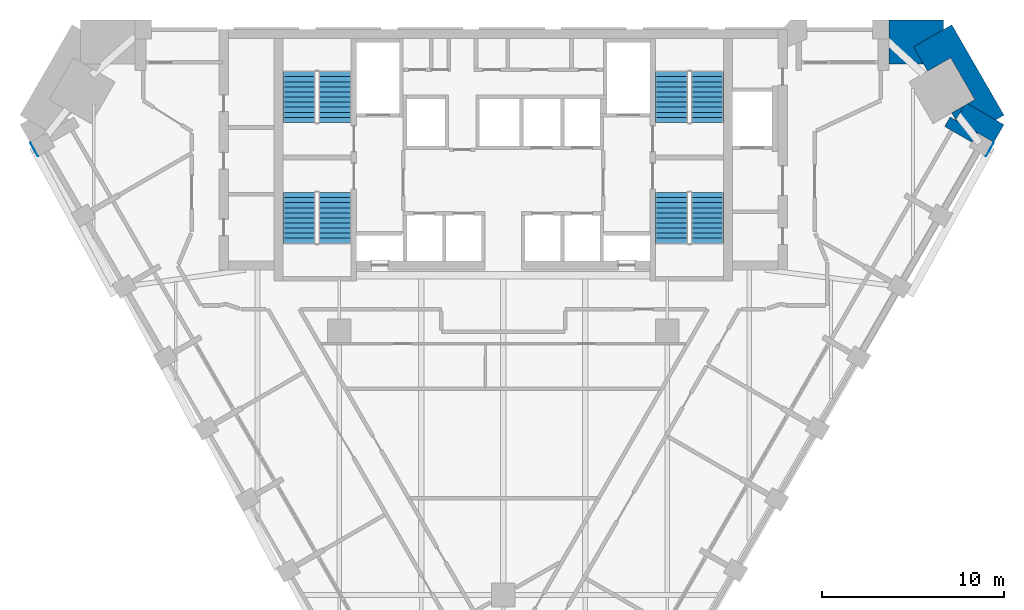
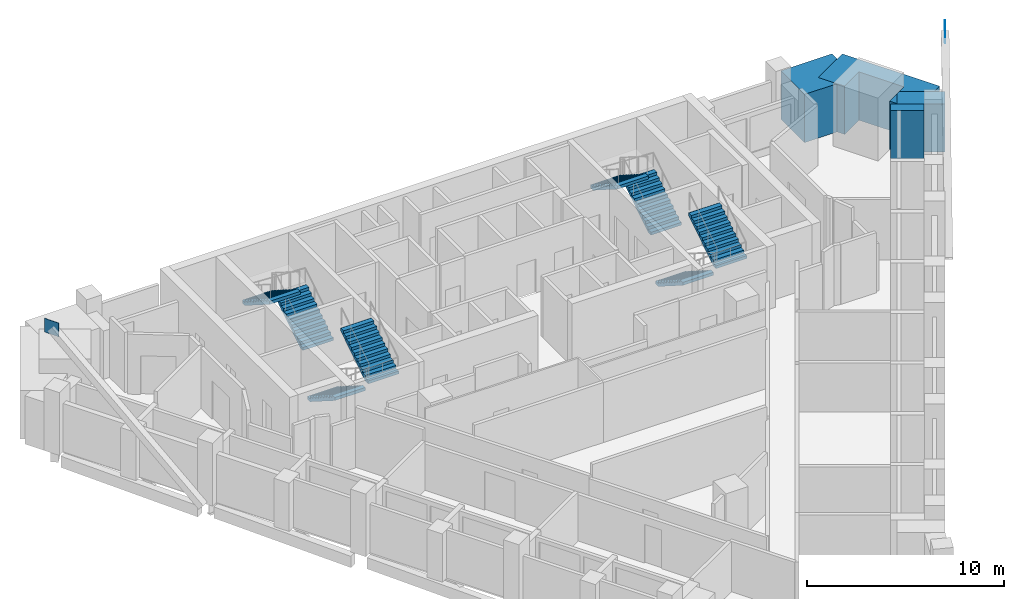
# One storey, part 8 of 9: 8 stair flights, 5 walls, 2 discrete accessories, 4 elements without a shape of their own.
"""IFC4 building model written with IfcOpenShell, lengths in metres."""

from ifc_helpers import new_model, si_unit, direction, frame, frame_2d, origin, origin_2d, place, context, subcontext, project, spatial, polyline, rectangle, outline, extrude, faceted_brep, source, transform, mapped, material, layer, layer_set, type_object, element, aggregate, save


model = new_model("IFC4")

# Units and contexts
model_context = context("Model", 3, precision=1e-05, world=origin(), true_north=direction((0.0, 1.0)))
body_context = subcontext(model_context, "Body", "Model", "MODEL_VIEW")
ifc_project = project(units=[si_unit("LENGTHUNIT", "METRE"), si_unit("AREAUNIT", "SQUARE_METRE"), si_unit("VOLUMEUNIT", "CUBIC_METRE"), si_unit("PLANEANGLEUNIT", "RADIAN"), si_unit("MASSUNIT", "GRAM", prefix="KILO")], contexts=[model_context])

# Site, building, storey
site_placement = place(None, origin())
site = spatial("IfcSite", under=ifc_project, at=site_placement, CompositionType="ELEMENT")
building_placement = place(site_placement, origin())
building = spatial("IfcBuilding", under=site, at=building_placement, Name="Calabash Gate Tower", CompositionType="ELEMENT")
storey_placement = place(building_placement, frame((0.0, 0.0, 168.0)))
storey = spatial("IfcBuildingStorey", under=building, at=storey_placement, Name="L39", CompositionType="ELEMENT", Elevation=168.0)

# Walls
ifc_material_1 = material(Name="Terracotta brick masonry, exposed face", Category="masonry")
ifc_layer_1 = layer(ifc_material_1, 2.425048828125)
ifc_layer_set_1 = layer_set([ifc_layer_1], Name="Brick corner mass wall 2425")
wall_type_1 = type_object("IfcWallType", Name="Brick corner mass wall 2425", PredefinedType="SOLIDWALL", material=ifc_layer_set_1)
wall_1_placement = place(storey_placement, origin())
element("IfcWall", 1, at=wall_1_placement, inside=storey, type_object=wall_type_1, Name="Brick corner pier S11 3a", PredefinedType="SOLIDWALL", context=body_context, shape_type="SweptSolid", body=[
    extrude(outline(polyline([(24.842529296875, 14.07275390625), (26.942626953125, 12.8603515625), (27.5009765625, 13.827392578125), (25.5068359375, 14.978759765625), (25.294921875, 14.8564453125), (24.842529296875, 14.07275390625)])), origin(), (0.0, 0.0, 1.0), 3.0),
])
wall_2_placement = place(storey_placement, origin())
element("IfcWall", 2, at=wall_2_placement, inside=storey, type_object=wall_type_1, Name="Brick corner pier S11 3ba", PredefinedType="SOLIDWALL", context=body_context, shape_type="SweptSolid", body=[
    extrude(outline(polyline([(24.852294921875, 14.08984375), (25.294921875, 14.8564453125), (24.631103515625, 14.47314453125), (24.852294921875, 14.08984375)])), origin(), (0.0, 0.0, 1.0), 3.0),
])
wall_3_placement = place(storey_placement, origin())
element("IfcWall", 3, at=wall_3_placement, inside=storey, type_object=wall_type_1, Name="Brick corner pier S11 3bb", PredefinedType="SOLIDWALL", context=body_context, shape_type="SweptSolid", body=[
    extrude(outline(polyline([(24.572021484375, 17.4990234375), (25.89697265625, 15.2041015625), (25.343994140625, 14.884765625), (25.5068359375, 14.978759765625), (27.04638671875, 14.08984375), (27.5009765625, 14.352294921875), (24.6357421875, 19.31494140625), (22.53564453125, 18.1025390625), (23.30615234375, 16.76806640625), (24.572021484375, 17.4990234375)])), origin(), (0.0, 0.0, 1.0), 3.0),
])
wall_4_placement = place(storey_placement, origin())
element("IfcWall", 4, at=wall_4_placement, inside=storey, type_object=wall_type_1, Name="Brick corner pier S11 3c", PredefinedType="SOLIDWALL", context=body_context, shape_type="SweptSolid", body=[
    extrude(outline(polyline([(21.1796875, 18.528076171875), (21.1796875, 17.152587890625), (23.084228515625, 17.152587890625), (22.53564453125, 18.1025390625), (24.18115234375, 19.052490234375), (24.18115234375, 19.57763671875), (21.179931640625, 19.57763671875), (21.179931640625, 18.528076171875), (21.1796875, 18.528076171875)])), origin(), (0.0, 0.0, 1.0), 3.0),
])
ifc_material_2 = material(Name="Terracotta brick masonry, exposed face", Category="masonry")
ifc_layer_2 = layer(ifc_material_2, 0.300048828125)
ifc_layer_set_2 = layer_set([ifc_layer_2], Name="Brick loggia cheek wall 300")
wall_type_2 = type_object("IfcWallType", Name="Brick loggia cheek wall 300", PredefinedType="SOLIDWALL", material=ifc_layer_set_2)
wall_5_placement = place(storey_placement, frame((25.88330078125, 13.12548828125, 0.0), z_axis=(0.0, 0.0, 1.0), x_axis=(-0.866013532718, 0.500020560727, 0.0)))
element("IfcWall", 5, at=wall_5_placement, inside=storey, type_object=wall_type_2, Name="Loggia cheek S11 SE4.8", PredefinedType="SOLIDWALL", context=body_context, shape_type="SweptSolid", body=[
    extrude(rectangle(XDim=1.72509765625, YDim=0.60009765625, at=frame_2d((0.862548828125, 0.0))), origin(), (0.0, 0.0, 1.0), 3.0),
])

# Stair, stair flights
ifc_material_3 = material(Name="Concrete C40/50", Category="concrete")
stair_type = type_object("IfcStairType", Name="Exit stair 22 risers of 177.3 mm", PredefinedType="HALF_TURN_STAIR", material=ifc_material_3)
stair_1_placement = place(storey_placement, origin())
stair_1 = element("IfcStair", 6, at=stair_1_placement, inside=storey, type_object=stair_type, Name="L39 Exit stair ST1", PredefinedType="HALF_TURN_STAIR")
ifc_material_4 = material(Name="Concrete C40/50", Category="concrete")
stair_flight_type = type_object("IfcStairFlightType", Name="Exit stair flight SFL", PredefinedType="STRAIGHT", material=ifc_material_4)
shared_shape = source(origin(), body_context, "Body", "Brep", [
    faceted_brep([(-0.0009765625, -0.89990234375, 0.0), (0.279541015625, -0.89990234375, 0.0), (2.791015625, -0.89990234375, 1.59521484375), (-0.0009765625, 0.89990234375, 0.0), (2.791015625, 0.89990234375, 1.59521484375), (0.279541015625, 0.89990234375, 0.0), (2.791015625, -0.89990234375, 1.78466796875), (2.7900390625, -0.89990234375, 1.78466796875), (2.7900390625, 0.89990234375, 1.78466796875), (2.791015625, 0.89990234375, 1.78466796875), (2.7900390625, -0.89990234375, 1.772705078125), (2.7900390625, 0.89990234375, 1.772705078125), (2.510986328125, -0.89990234375, 1.772705078125), (2.510986328125, 0.89990234375, 1.772705078125), (2.510986328125, -0.89990234375, 1.595458984375), (2.510986328125, 0.89990234375, 1.595458984375), (2.23193359375, -0.89990234375, 1.595458984375), (2.23193359375, 0.89990234375, 1.595458984375), (2.23193359375, -0.89990234375, 1.418212890625), (2.23193359375, 0.89990234375, 1.418212890625), (1.952880859375, -0.89990234375, 1.418212890625), (1.952880859375, -0.89990234375, 1.240966796875), (1.952880859375, 0.89990234375, 1.240966796875), (1.952880859375, 0.89990234375, 1.418212890625), (1.674072265625, -0.89990234375, 1.240966796875), (1.674072265625, -0.89990234375, 1.063720703125), (1.674072265625, 0.89990234375, 1.063720703125), (1.674072265625, 0.89990234375, 1.240966796875), (1.39501953125, -0.89990234375, 1.063720703125), (1.39501953125, -0.89990234375, 0.886474609375), (1.39501953125, 0.89990234375, 0.886474609375), (1.39501953125, 0.89990234375, 1.063720703125), (1.115966796875, -0.89990234375, 0.886474609375), (1.115966796875, -0.89990234375, 0.708984375), (1.115966796875, 0.89990234375, 0.708984375), (1.115966796875, 0.89990234375, 0.886474609375), (0.8369140625, -0.89990234375, 0.708984375), (0.8369140625, -0.89990234375, 0.53173828125), (0.8369140625, 0.89990234375, 0.53173828125), (0.8369140625, 0.89990234375, 0.708984375), (0.55810546875, -0.89990234375, 0.53173828125), (0.55810546875, -0.89990234375, 0.3544921875), (0.55810546875, 0.89990234375, 0.3544921875), (0.55810546875, 0.89990234375, 0.53173828125), (0.279052734375, -0.89990234375, 0.3544921875), (0.279052734375, -0.89990234375, 0.17724609375), (0.279052734375, 0.89990234375, 0.17724609375), (0.279052734375, 0.89990234375, 0.3544921875), (-0.0009765625, -0.89990234375, 0.17724609375), (-0.0009765625, 0.89990234375, 0.17724609375), (0.279541015625, -0.360107421875, 0.0), (2.791015625, -0.360107421875, 1.59521484375), (0.279541015625, 0.0, 0.0), (2.791015625, 0.0, 1.59521484375), (0.279541015625, 0.360107421875, 0.0), (2.791015625, 0.360107421875, 1.59521484375), (2.791015625, -0.360107421875, 1.78466796875), (2.791015625, 0.0, 1.78466796875), (2.791015625, 0.360107421875, 1.78466796875), (2.7900390625, -0.360107421875, 1.78466796875), (2.7900390625, 0.0, 1.78466796875), (2.7900390625, 0.360107421875, 1.78466796875), (2.7900390625, -0.360107421875, 1.772705078125), (2.7900390625, 0.0, 1.772705078125), (2.7900390625, 0.360107421875, 1.772705078125), (2.510986328125, -0.360107421875, 1.772705078125), (2.510986328125, 0.0, 1.772705078125), (2.510986328125, 0.360107421875, 1.772705078125), (2.510986328125, -0.360107421875, 1.595458984375), (2.510986328125, 0.0, 1.595458984375), (2.510986328125, 0.360107421875, 1.595458984375), (2.23193359375, -0.360107421875, 1.595458984375), (2.23193359375, 0.0, 1.595458984375), (2.23193359375, 0.360107421875, 1.595458984375), (2.23193359375, -0.360107421875, 1.418212890625), (2.23193359375, 0.0, 1.418212890625), (2.23193359375, 0.360107421875, 1.418212890625), (1.952880859375, -0.360107421875, 1.418212890625), (1.952880859375, 0.0, 1.418212890625), (1.952880859375, 0.360107421875, 1.418212890625), (1.952880859375, -0.360107421875, 1.240966796875), (1.952880859375, 0.0, 1.240966796875), (1.952880859375, 0.360107421875, 1.240966796875), (1.674072265625, -0.360107421875, 1.240966796875), (1.674072265625, 0.0, 1.240966796875), (1.674072265625, 0.360107421875, 1.240966796875), (1.674072265625, -0.360107421875, 1.063720703125), (1.674072265625, 0.0, 1.063720703125), (1.674072265625, 0.360107421875, 1.063720703125), (1.39501953125, -0.360107421875, 1.063720703125), (1.39501953125, 0.0, 1.063720703125), (1.39501953125, 0.360107421875, 1.063720703125), (1.39501953125, -0.360107421875, 0.886474609375), (1.39501953125, 0.0, 0.886474609375), (1.39501953125, 0.360107421875, 0.886474609375), (1.115966796875, -0.360107421875, 0.886474609375), (1.115966796875, 0.0, 0.886474609375), (1.115966796875, 0.360107421875, 0.886474609375), (1.115966796875, -0.360107421875, 0.708984375), (1.115966796875, 0.0, 0.708984375), (1.115966796875, 0.360107421875, 0.708984375), (0.8369140625, -0.360107421875, 0.708984375), (0.8369140625, 0.0, 0.708984375), (0.8369140625, 0.360107421875, 0.708984375), (0.8369140625, -0.360107421875, 0.53173828125), (0.8369140625, 0.0, 0.53173828125), (0.8369140625, 0.360107421875, 0.53173828125), (0.55810546875, -0.360107421875, 0.53173828125), (0.55810546875, 0.0, 0.53173828125), (0.55810546875, 0.360107421875, 0.53173828125), (0.55810546875, -0.360107421875, 0.3544921875), (0.55810546875, 0.0, 0.3544921875), (0.55810546875, 0.360107421875, 0.3544921875), (0.279052734375, -0.360107421875, 0.3544921875), (0.279052734375, 0.0, 0.3544921875), (0.279052734375, 0.360107421875, 0.3544921875), (0.279052734375, -0.360107421875, 0.17724609375), (0.279052734375, 0.0, 0.17724609375), (0.279052734375, 0.360107421875, 0.17724609375), (-0.0009765625, -0.360107421875, 0.17724609375), (-0.0009765625, 0.0, 0.17724609375), (-0.0009765625, 0.360107421875, 0.17724609375), (-0.0009765625, -0.360107421875, 0.0), (-0.0009765625, 0.0, 0.0), (-0.0009765625, 0.360107421875, 0.0)], [[[0, 1, 2]], [[3, 4, 5]], [[2, 6, 7]], [[4, 8, 9]], [[2, 7, 10]], [[4, 11, 8]], [[2, 10, 12]], [[4, 13, 11]], [[2, 12, 14]], [[4, 15, 13]], [[2, 14, 16]], [[4, 17, 15]], [[2, 16, 18]], [[4, 19, 17]], [[18, 20, 21]], [[19, 22, 23]], [[2, 18, 21]], [[4, 22, 19]], [[21, 24, 25]], [[22, 26, 27]], [[2, 21, 25]], [[4, 26, 22]], [[25, 28, 29]], [[26, 30, 31]], [[2, 25, 29]], [[4, 30, 26]], [[29, 32, 33]], [[30, 34, 35]], [[2, 29, 33]], [[4, 34, 30]], [[33, 36, 37]], [[34, 38, 39]], [[2, 33, 37]], [[4, 38, 34]], [[37, 40, 41]], [[38, 42, 43]], [[2, 37, 41]], [[4, 42, 38]], [[41, 44, 45]], [[42, 46, 47]], [[2, 41, 45]], [[4, 46, 42]], [[0, 2, 45]], [[3, 46, 4]], [[45, 48, 0]], [[46, 3, 49]], [[1, 50, 2]], [[50, 51, 2]], [[50, 52, 51]], [[52, 53, 51]], [[52, 54, 55]], [[52, 55, 53]], [[54, 5, 4]], [[54, 4, 55]], [[2, 51, 6]], [[51, 56, 6]], [[51, 53, 56]], [[53, 57, 56]], [[53, 55, 58]], [[53, 58, 57]], [[55, 4, 9]], [[55, 9, 58]], [[6, 56, 7]], [[56, 59, 7]], [[56, 57, 59]], [[57, 60, 59]], [[57, 58, 61]], [[57, 61, 60]], [[58, 9, 8]], [[58, 8, 61]], [[7, 59, 10]], [[59, 62, 10]], [[59, 60, 62]], [[60, 63, 62]], [[60, 61, 64]], [[60, 64, 63]], [[61, 8, 11]], [[61, 11, 64]], [[10, 62, 12]], [[62, 65, 12]], [[62, 63, 65]], [[63, 66, 65]], [[63, 64, 67]], [[63, 67, 66]], [[64, 11, 13]], [[64, 13, 67]], [[12, 65, 14]], [[65, 68, 14]], [[65, 66, 68]], [[66, 69, 68]], [[66, 67, 70]], [[66, 70, 69]], [[67, 13, 15]], [[67, 15, 70]], [[14, 68, 16]], [[68, 71, 16]], [[68, 69, 71]], [[69, 72, 71]], [[69, 70, 73]], [[69, 73, 72]], [[70, 15, 17]], [[70, 17, 73]], [[16, 71, 18]], [[71, 74, 18]], [[71, 72, 74]], [[72, 75, 74]], [[72, 73, 76]], [[72, 76, 75]], [[73, 17, 19]], [[73, 19, 76]], [[18, 74, 20]], [[74, 77, 20]], [[74, 75, 77]], [[75, 78, 77]], [[75, 76, 79]], [[75, 79, 78]], [[76, 19, 23]], [[76, 23, 79]], [[20, 77, 21]], [[77, 80, 21]], [[77, 78, 80]], [[78, 81, 80]], [[78, 79, 82]], [[78, 82, 81]], [[79, 23, 22]], [[79, 22, 82]], [[21, 80, 24]], [[80, 83, 24]], [[80, 81, 83]], [[81, 84, 83]], [[81, 82, 85]], [[81, 85, 84]], [[82, 22, 27]], [[82, 27, 85]], [[24, 83, 25]], [[83, 86, 25]], [[83, 84, 86]], [[84, 87, 86]], [[84, 85, 88]], [[84, 88, 87]], [[85, 27, 26]], [[85, 26, 88]], [[25, 86, 28]], [[86, 89, 28]], [[86, 87, 89]], [[87, 90, 89]], [[87, 88, 91]], [[87, 91, 90]], [[88, 26, 31]], [[88, 31, 91]], [[28, 89, 29]], [[89, 92, 29]], [[89, 90, 92]], [[90, 93, 92]], [[90, 91, 94]], [[90, 94, 93]], [[91, 31, 30]], [[91, 30, 94]], [[29, 92, 32]], [[92, 95, 32]], [[92, 93, 95]], [[93, 96, 95]], [[93, 94, 97]], [[93, 97, 96]], [[94, 30, 35]], [[94, 35, 97]], [[32, 95, 33]], [[95, 98, 33]], [[95, 96, 98]], [[96, 99, 98]], [[96, 97, 100]], [[96, 100, 99]], [[97, 35, 34]], [[97, 34, 100]], [[33, 98, 36]], [[98, 101, 36]], [[98, 99, 101]], [[99, 102, 101]], [[99, 100, 103]], [[99, 103, 102]], [[100, 34, 39]], [[100, 39, 103]], [[36, 101, 37]], [[101, 104, 37]], [[101, 102, 104]], [[102, 105, 104]], [[102, 103, 106]], [[102, 106, 105]], [[103, 39, 38]], [[103, 38, 106]], [[37, 104, 40]], [[104, 107, 40]], [[104, 105, 107]], [[105, 108, 107]], [[105, 106, 109]], [[105, 109, 108]], [[106, 38, 43]], [[106, 43, 109]], [[40, 107, 41]], [[107, 110, 41]], [[107, 108, 110]], [[108, 111, 110]], [[108, 109, 112]], [[108, 112, 111]], [[109, 43, 42]], [[109, 42, 112]], [[41, 110, 44]], [[110, 113, 44]], [[110, 111, 113]], [[111, 114, 113]], [[111, 112, 115]], [[111, 115, 114]], [[112, 42, 47]], [[112, 47, 115]], [[44, 113, 45]], [[113, 116, 45]], [[113, 114, 116]], [[114, 117, 116]], [[114, 115, 118]], [[114, 118, 117]], [[115, 47, 46]], [[115, 46, 118]], [[45, 116, 48]], [[116, 119, 48]], [[116, 117, 119]], [[117, 120, 119]], [[117, 118, 121]], [[117, 121, 120]], [[118, 46, 49]], [[118, 49, 121]], [[48, 119, 0]], [[119, 122, 0]], [[119, 120, 122]], [[120, 123, 122]], [[120, 121, 124]], [[120, 124, 123]], [[121, 49, 3]], [[121, 3, 124]], [[0, 122, 1]], [[122, 50, 1]], [[122, 123, 50]], [[123, 52, 50]], [[123, 124, 54]], [[123, 54, 52]], [[124, 3, 5]], [[124, 5, 54]]]),
])
stair_flight_1_placement = place(storey_placement, frame((-9.25, 13.95263671875, 0.0), z_axis=(0.0, 0.0, 1.0), x_axis=(0.0, 1.0, 0.0)))
stair_flight_1 = element("IfcStairFlight", 7, at=stair_flight_1_placement, type_object=stair_flight_type, Name="ST1 flight 1", NumberOfRisers=11, NumberOfTreads=10, PredefinedType="STRAIGHT", RiserHeight=0.177272727, TreadLength=0.279, context=body_context, shape_type="MappedRepresentation", body=[
    mapped(shared_shape, transform((0.0, 0.0, 0.0), scale=1.0)),
])
stair_flight_2_placement = place(storey_placement, frame((-11.199951171875, 16.74267578125, 1.949951171875), z_axis=(0.0, 0.0, 1.0), x_axis=(0.0, -1.0, 0.0)))
stair_flight_2 = element("IfcStairFlight", 8, at=stair_flight_2_placement, type_object=stair_flight_type, Name="ST1 flight 2", NumberOfRisers=11, NumberOfTreads=10, PredefinedType="STRAIGHT", RiserHeight=0.177272727, TreadLength=0.279, context=body_context, shape_type="MappedRepresentation", body=[
    mapped(shared_shape, transform((0.0, 0.0, 0.0), scale=1.0)),
])
aggregate(stair_1, [stair_flight_1, stair_flight_2])

stair_2_placement = place(storey_placement, origin())
stair_2 = element("IfcStair", 9, at=stair_2_placement, inside=storey, type_object=stair_type, Name="L39 Exit stair ST2", PredefinedType="HALF_TURN_STAIR")
stair_flight_3_placement = place(storey_placement, frame((-11.199951171875, 10.1025390625, 0.0), z_axis=(0.0, 0.0, 1.0), x_axis=(0.0, -1.0, 0.0)))
stair_flight_3 = element("IfcStairFlight", 10, at=stair_flight_3_placement, type_object=stair_flight_type, Name="ST2 flight 1", NumberOfRisers=11, NumberOfTreads=10, PredefinedType="STRAIGHT", RiserHeight=0.177272727, TreadLength=0.279, context=body_context, shape_type="MappedRepresentation", body=[
    mapped(shared_shape, transform((0.0, 0.0, 0.0), scale=1.0)),
])
stair_flight_4_placement = place(storey_placement, frame((-9.25, 7.3125, 1.949951171875), z_axis=(0.0, 0.0, 1.0), x_axis=(0.0, 1.0, 0.0)))
stair_flight_4 = element("IfcStairFlight", 11, at=stair_flight_4_placement, type_object=stair_flight_type, Name="ST2 flight 2", NumberOfRisers=11, NumberOfTreads=10, PredefinedType="STRAIGHT", RiserHeight=0.177272727, TreadLength=0.279, context=body_context, shape_type="MappedRepresentation", body=[
    mapped(shared_shape, transform((0.0, 0.0, 0.0), scale=1.0)),
])
aggregate(stair_2, [stair_flight_3, stair_flight_4])

stair_3_placement = place(storey_placement, origin())
stair_3 = element("IfcStair", 12, at=stair_3_placement, inside=storey, type_object=stair_type, Name="L39 Exit stair ST3", PredefinedType="HALF_TURN_STAIR")
stair_flight_5_placement = place(storey_placement, frame((11.199951171875, 13.95263671875, 0.0), z_axis=(0.0, 0.0, 1.0), x_axis=(0.0, 1.0, 0.0)))
stair_flight_5 = element("IfcStairFlight", 13, at=stair_flight_5_placement, type_object=stair_flight_type, Name="ST3 flight 1", NumberOfRisers=11, NumberOfTreads=10, PredefinedType="STRAIGHT", RiserHeight=0.177272727, TreadLength=0.279, context=body_context, shape_type="MappedRepresentation", body=[
    mapped(shared_shape, transform((0.0, 0.0, 0.0), scale=1.0)),
])
stair_flight_6_placement = place(storey_placement, frame((9.25, 16.74267578125, 1.949951171875), z_axis=(0.0, 0.0, 1.0), x_axis=(0.0, -1.0, 0.0)))
stair_flight_6 = element("IfcStairFlight", 14, at=stair_flight_6_placement, type_object=stair_flight_type, Name="ST3 flight 2", NumberOfRisers=11, NumberOfTreads=10, PredefinedType="STRAIGHT", RiserHeight=0.177272727, TreadLength=0.279, context=body_context, shape_type="MappedRepresentation", body=[
    mapped(shared_shape, transform((0.0, 0.0, 0.0), scale=1.0)),
])
aggregate(stair_3, [stair_flight_5, stair_flight_6])

stair_4_placement = place(storey_placement, origin())
stair_4 = element("IfcStair", 15, at=stair_4_placement, inside=storey, type_object=stair_type, Name="L39 Exit stair ST4", PredefinedType="HALF_TURN_STAIR")
stair_flight_7_placement = place(storey_placement, frame((9.25, 10.1025390625, 0.0), z_axis=(0.0, 0.0, 1.0), x_axis=(0.0, -1.0, 0.0)))
stair_flight_7 = element("IfcStairFlight", 16, at=stair_flight_7_placement, type_object=stair_flight_type, Name="ST4 flight 1", NumberOfRisers=11, NumberOfTreads=10, PredefinedType="STRAIGHT", RiserHeight=0.177272727, TreadLength=0.279, context=body_context, shape_type="MappedRepresentation", body=[
    mapped(shared_shape, transform((0.0, 0.0, 0.0), scale=1.0)),
])
stair_flight_8_placement = place(storey_placement, frame((11.199951171875, 7.3125, 1.949951171875), z_axis=(0.0, 0.0, 1.0), x_axis=(0.0, 1.0, 0.0)))
stair_flight_8 = element("IfcStairFlight", 17, at=stair_flight_8_placement, type_object=stair_flight_type, Name="ST4 flight 2", NumberOfRisers=11, NumberOfTreads=10, PredefinedType="STRAIGHT", RiserHeight=0.177272727, TreadLength=0.279, context=body_context, shape_type="MappedRepresentation", body=[
    mapped(shared_shape, transform((0.0, 0.0, 0.0), scale=1.0)),
])
aggregate(stair_4, [stair_flight_7, stair_flight_8])

# Discrete accessories
ifc_material_5 = material(Name="Steel ASTM A572 Gr50", Category="steel")
discrete_accessory_type = type_object("IfcDiscreteAccessoryType", Name="Connection plate 25", PredefinedType="BRACKET", material=ifc_material_5)
for number, where, z_axis, x_axis, name in (
    (18, (-25.76708984375, 12.467041015625, 7.375), (0.0, 0.0, 1.0), (-0.481236500646, 0.876590799887, 0.0), "Connection plate Mega-brace SW Z3 23 end"),
    (19, (26.72607421875, 12.466064453125, 7.375), (0.0, 0.0, 1.0), (0.481256726319, 0.876579695962, 0.0), "Connection plate Mega-brace SE Z3 27 end"),
):
    element("IfcDiscreteAccessory", number, at=place(storey_placement, frame(where, z_axis=z_axis, x_axis=x_axis)), inside=storey, type_object=discrete_accessory_type, Name=name, PredefinedType="BRACKET", context=body_context, shape_type="SweptSolid", body=[
        extrude(rectangle(XDim=0.850341796875, YDim=0.02490234375, at=origin_2d()), origin(), (0.0, 0.0, 1.0), 0.850341796875),
    ])

save(model, "model.ifc")
